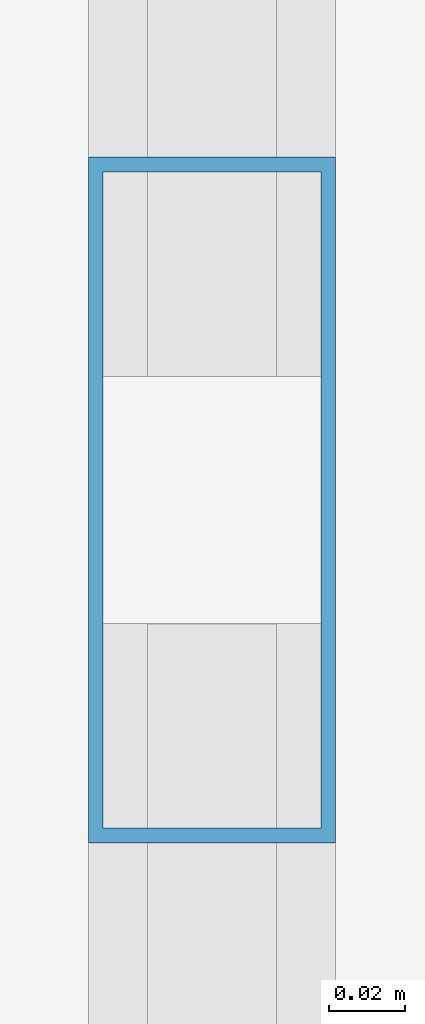
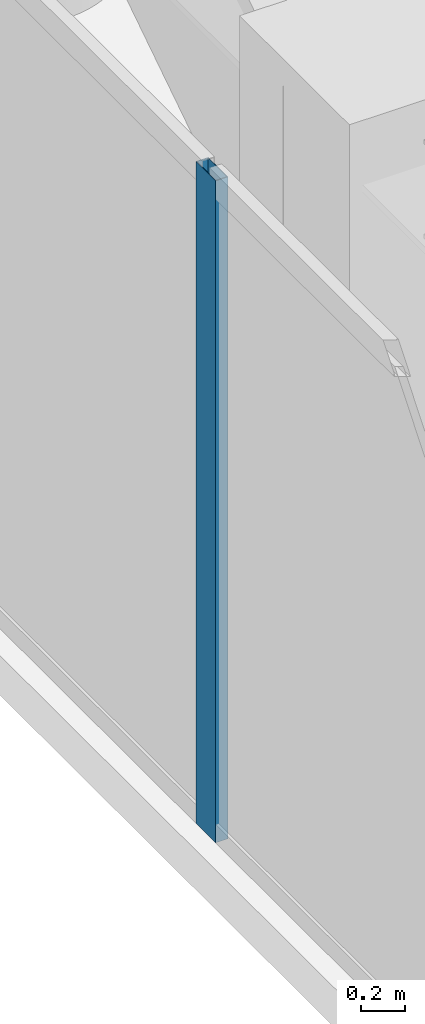
# One storey, part 6 of 21: 1 member, 1 element without a shape of its own.
"""IFC4 building model written with IfcOpenShell, lengths in metres."""

from ifc_helpers import new_model, si_unit, direction, frame, origin, origin_2d, place, context, subcontext, project, spatial, hollow_rectangle, extrude, material, layer, layer_set, material_profile, profile_set, type_object, element, aggregate, save


model = new_model("IFC4")

# Units and contexts
model_context = context("Model", 3, precision=1e-05, world=origin(), true_north=direction((0.0, 1.0)))
body_context = subcontext(model_context, "Body", "Model", "MODEL_VIEW")
ifc_project = project(units=[si_unit("LENGTHUNIT", "METRE"), si_unit("AREAUNIT", "SQUARE_METRE"), si_unit("VOLUMEUNIT", "CUBIC_METRE"), si_unit("PLANEANGLEUNIT", "RADIAN"), si_unit("MASSUNIT", "GRAM", prefix="KILO")], contexts=[model_context])

# Site, building, storey
site_placement = place(None, origin())
site = spatial("IfcSite", under=ifc_project, at=site_placement, CompositionType="ELEMENT")
building_placement = place(site_placement, origin())
building = spatial("IfcBuilding", under=site, at=building_placement, Name="Kiyonajd Concourse Tower", CompositionType="ELEMENT")
storey_placement = place(building_placement, frame((0.0, 0.0, 247.199951171875)))
storey = spatial("IfcBuildingStorey", under=building, at=storey_placement, Name="L62", CompositionType="ELEMENT", Elevation=247.199951171875)

# Curtain wall, member
ifc_material = material(Name="Thermally Broken Anodised Aluminium", Category="aluminium")
ifc_layer = layer(ifc_material, 0.179931640625)
ifc_layer_set = layer_set([ifc_layer], Name="Thermally Broken Anodised Aluminium")
curtain_wall_type = type_object("IfcCurtainWallType", Name="CW-SYS-04", PredefinedType="NOTDEFINED", material=ifc_layer_set)
curtain_wall_placement = place(storey_placement, origin())
curtain_wall = element("IfcCurtainWall", 1, at=curtain_wall_placement, inside=storey, type_object=curtain_wall_type, Name="L62 Unitised Curtain Wall CW4", PredefinedType="NOTDEFINED")
ifc_material_profile = material_profile(ifc_material, hollow_rectangle(XDim=0.06494140625, YDim=0.179931640625, WallThickness=0.00390625, at=origin_2d()), Name="MULL-65x180")
ifc_profile_set = profile_set([ifc_material_profile], Name="Thermally Broken Anodised Aluminium")
member_type = type_object("IfcMemberType", Name="MB-CW-MULL1", PredefinedType="MULLION", material=ifc_profile_set)
member_placement = place(storey_placement, frame((25.340087890625, 53.181396484375, 0.0), z_axis=(0.0, 0.0, 1.0), x_axis=(-1.0, 0.0, 0.0)))
member = element("IfcMember", 2, at=member_placement, type_object=member_type, Name="CW4 mullion 6", PredefinedType="MULLION", context=body_context, shape_type="SweptSolid", body=[
    extrude(hollow_rectangle(XDim=0.06494140625, YDim=0.179931640625, WallThickness=0.00390625, at=origin_2d()), origin(), (0.0, 0.0, 1.0), 3.679931640625),
])
aggregate(curtain_wall, [member])

save(model, "model.ifc")
